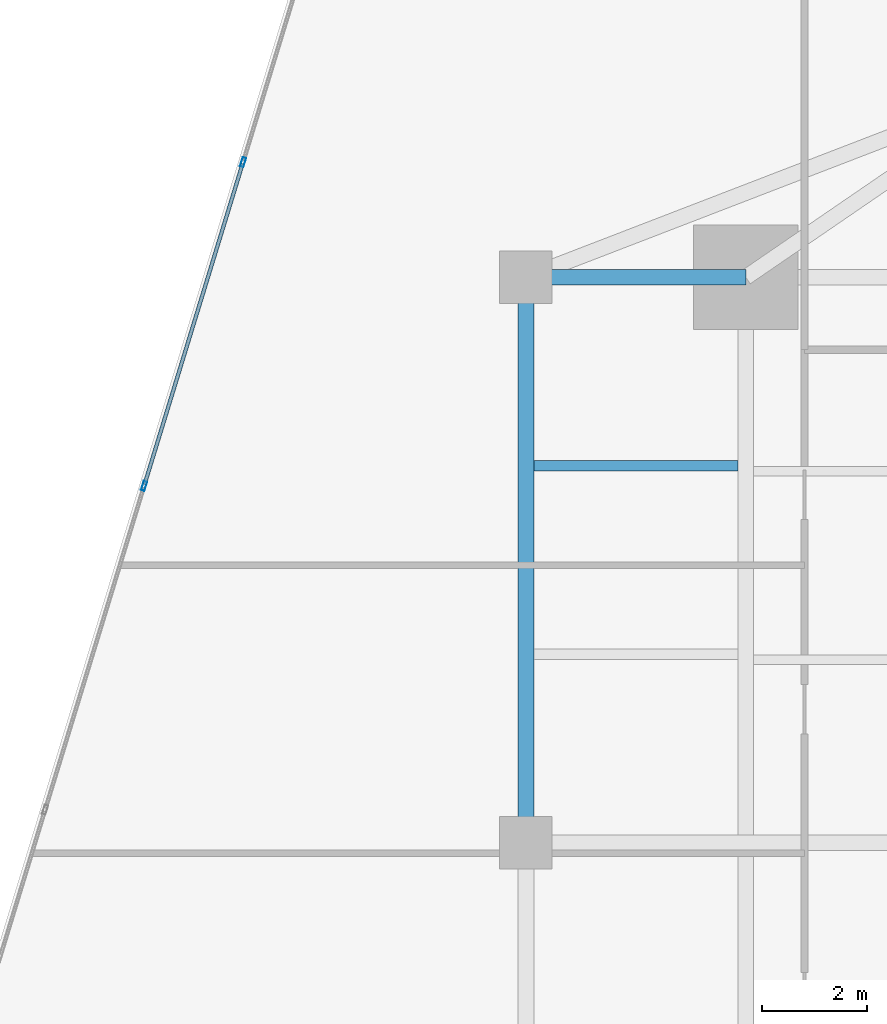
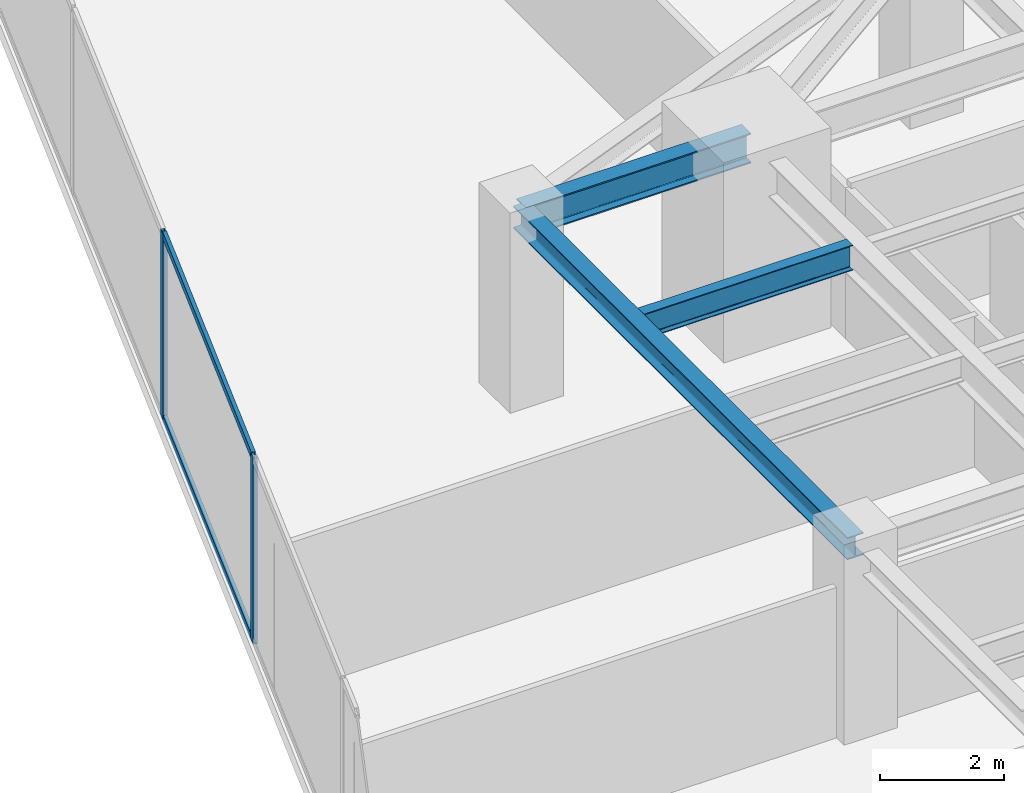
# One storey, part 13 of 26: 4 members, 3 beams, 1 element without a shape of its own.
"""IFC4 building model written with IfcOpenShell, lengths in metres."""

from ifc_helpers import new_model, si_unit, direction, frame, origin, origin_2d, place, context, subcontext, project, spatial, hollow_rectangle, i_section, extrude, source, transform, mapped, material, material_profile, profile_set, type_object, type_shapes, element, aggregate, save


model = new_model("IFC4")

# Units and contexts
model_context = context("Model", 3, precision=1e-05, world=origin(), true_north=direction((0.0, 1.0)))
body_context = subcontext(model_context, "Body", "Model", "MODEL_VIEW")
ifc_project = project(units=[si_unit("LENGTHUNIT", "METRE"), si_unit("AREAUNIT", "SQUARE_METRE"), si_unit("VOLUMEUNIT", "CUBIC_METRE"), si_unit("PLANEANGLEUNIT", "RADIAN"), si_unit("MASSUNIT", "GRAM", prefix="KILO")], contexts=[model_context])

# Site, building, storey
site_placement = place(None, origin())
site = spatial("IfcSite", under=ifc_project, at=site_placement, CompositionType="ELEMENT")
building_placement = place(site_placement, origin())
building = spatial("IfcBuilding", under=site, at=building_placement, Name="Krantzveldt Concourse Tower", CompositionType="ELEMENT")
storey_placement = place(building_placement, frame((0.0, 0.0, 113.75)))
storey = spatial("IfcBuildingStorey", under=building, at=storey_placement, Name="L27", CompositionType="ELEMENT", Elevation=113.75)

# Beams
ifc_material_1 = material(Name="Steel S355JR", Category="steel")
ifc_material_profile_1 = material_profile(ifc_material_1, i_section(OverallWidth=0.300048828125, OverallDepth=0.43994140625, WebThickness=0.011474609375, FlangeThickness=0.02099609375, FilletRadius=0.027099609375, at=origin_2d()), Name="Steel S355JR", Category="steel")
ifc_profile_set_1 = profile_set([ifc_material_profile_1], Name="Steel S355JR - HEA 450")
beam_type_1 = type_object("IfcBeamType", Name="BM-SP-HEA450", PredefinedType="SPANDREL", material=ifc_profile_set_1)
shared_shape_1 = source(origin(), body_context, "Body", "SweptSolid", [
    extrude(i_section(OverallWidth=0.300048828125, OverallDepth=0.43994140625, WebThickness=0.011474609375, FlangeThickness=0.02099609375, FilletRadius=0.027099609375, at=origin_2d()), origin(), (0.0, 0.0, 1.0), 10.800048828125),
])
type_shapes(beam_type_1, [shared_shape_1])
beam_1_placement = place(storey_placement, frame((21.0, 26.699951171875, 3.449951171875), z_axis=(0.0, 1.0, 0.0), x_axis=(-1.0, 0.0, 0.0)))
element("IfcBeam", 1, at=beam_1_placement, inside=storey, type_object=beam_type_1, Name="L27 Tower Girder SP-R02", PredefinedType="SPANDREL", context=body_context, shape_type="MappedRepresentation", body=[
    mapped(shared_shape_1, transform((0.0, 0.0, 0.0), x_axis=(1.0, 0.0, 0.0), y_axis=(0.0, 1.0, 0.0), z_axis=(0.0, 0.0, 1.0), scale=1.0)),
])
ifc_material_profile_2 = material_profile(ifc_material_1, i_section(OverallWidth=0.300048828125, OverallDepth=0.590087890625, WebThickness=0.012939453125, FlangeThickness=0.02490234375, FilletRadius=0.027099609375, at=origin_2d()), Name="Steel S355JR", Category="steel")
ifc_profile_set_2 = profile_set([ifc_material_profile_2], Name="Steel S355JR - HEA 600")
beam_type_2 = type_object("IfcBeamType", Name="BM-B-HEA600", PredefinedType="BEAM", material=ifc_profile_set_2)
shared_shape_2 = source(origin(), body_context, "Body", "SweptSolid", [
    extrude(i_section(OverallWidth=0.300048828125, OverallDepth=0.590087890625, WebThickness=0.012939453125, FlangeThickness=0.02490234375, FilletRadius=0.027099609375, at=origin_2d()), origin(), (0.0, 0.0, 1.0), 4.199951171875),
])
type_shapes(beam_type_2, [shared_shape_2])
beam_2_placement = place(storey_placement, frame((21.0, 37.5, 3.375), z_axis=(1.0, 0.0, 0.0), x_axis=(0.0, 1.0, 0.0)))
element("IfcBeam", 2, at=beam_2_placement, inside=storey, type_object=beam_type_2, Name="L27 Tower Girder BR-RL3", PredefinedType="BEAM", context=body_context, shape_type="MappedRepresentation", body=[
    mapped(shared_shape_2, transform((0.0, 0.0, 0.0), x_axis=(1.0, 0.0, 0.0), y_axis=(0.0, 1.0, 0.0), z_axis=(0.0, 0.0, 1.0), scale=1.0)),
])
ifc_material_profile_3 = material_profile(ifc_material_1, i_section(OverallWidth=0.199951171875, OverallDepth=0.5, WebThickness=0.01025390625, FlangeThickness=0.01611328125, FilletRadius=0.02099609375, at=origin_2d()), Name="Steel S355JR", Category="steel")
ifc_profile_set_3 = profile_set([ifc_material_profile_3], Name="Steel S355JR - IPE 500")
beam_type_3 = type_object("IfcBeamType", Name="BM-J-IPE500", PredefinedType="JOIST", material=ifc_profile_set_3)
shared_shape_3 = source(origin(), body_context, "Body", "SweptSolid", [
    extrude(i_section(OverallWidth=0.199951171875, OverallDepth=0.5, WebThickness=0.01025390625, FlangeThickness=0.01611328125, FilletRadius=0.02099609375, at=origin_2d()), origin(), (0.0, 0.0, 1.0), 3.900146484375),
])
type_shapes(beam_type_3, [shared_shape_3])
beam_3_placement = place(storey_placement, frame((21.14990234375, 33.89990234375, 3.419921875), z_axis=(1.0, 0.0, 0.0), x_axis=(0.0, 1.0, 0.0)))
element("IfcBeam", 3, at=beam_3_placement, inside=storey, type_object=beam_type_3, Name="L27 Secondary Floor Joist JW-4", PredefinedType="JOIST", context=body_context, shape_type="MappedRepresentation", body=[
    mapped(shared_shape_3, transform((0.0, 0.0, 0.0), x_axis=(1.0, 0.0, 0.0), y_axis=(0.0, 1.0, 0.0), z_axis=(0.0, 0.0, 1.0), scale=1.0)),
])

# Curtain wall, members
ifc_material_2 = material(Name="Anodised aluminium 6063-T6", Category="aluminium")
curtain_wall_type = type_object("IfcCurtainWallType", Name="CW2", PredefinedType="USERDEFINED", material=ifc_material_2)
curtain_wall_placement = place(storey_placement, origin())
curtain_wall = element("IfcCurtainWall", 4, at=curtain_wall_placement, inside=storey, type_object=curtain_wall_type, Name="CW-L27-F01", ObjectType="UNITISED CURTAIN WALL", PredefinedType="USERDEFINED")
ifc_material_profile_4 = material_profile(ifc_material_2, hollow_rectangle(XDim=0.070068359375, YDim=0.179931640625, WallThickness=0.0048828125, at=origin_2d()), Name="Anodised aluminium 6063-T6", Category="aluminium")
ifc_profile_set_4 = profile_set([ifc_material_profile_4], Name="Anodised aluminium 6063-T6 - ALU-MULL 180x70x5")
member_type_1 = type_object("IfcMemberType", Name="CW-MUL-180", PredefinedType="MULLION", material=ifc_profile_set_4)
shared_shape_4 = source(origin(), body_context, "Body", "SweptSolid", [
    extrude(hollow_rectangle(XDim=0.070068359375, YDim=0.179931640625, WallThickness=0.0048828125, at=origin_2d()), origin(), (0.0, 0.0, 1.0), 3.669921875),
])
type_shapes(member_type_1, [shared_shape_4])
member_1_placement = place(storey_placement, frame((15.59912109375, 39.69921875, 0.0), z_axis=(0.0, 0.0, 1.0), x_axis=(0.956304761423, -0.292371686864, 0.0)))
member_1 = element("IfcMember", 5, at=member_1_placement, type_object=member_type_1, Name="CW-Z12 mullion 3", PredefinedType="MULLION", context=body_context, shape_type="MappedRepresentation", body=[
    mapped(shared_shape_4, transform((0.0, 0.0, 0.0), x_axis=(1.0, 0.0, 0.0), y_axis=(0.0, 1.0, 0.0), z_axis=(0.0, 0.0, 1.0), scale=1.0)),
])
member_2_placement = place(storey_placement, frame((13.70849609375, 33.51513671875, 0.0), z_axis=(0.0, 0.0, 1.0), x_axis=(0.956304761423, -0.292371686864, 0.0)))
member_2 = element("IfcMember", 6, at=member_2_placement, type_object=member_type_1, Name="CW-Z12 mullion 4", PredefinedType="MULLION", context=body_context, shape_type="MappedRepresentation", body=[
    mapped(shared_shape_4, transform((0.0, 0.0, 0.0), x_axis=(1.0, 0.0, 0.0), y_axis=(0.0, 1.0, 0.0), z_axis=(0.0, 0.0, 1.0), scale=1.0)),
])
ifc_material_profile_5 = material_profile(ifc_material_2, hollow_rectangle(XDim=0.070068359375, YDim=0.139892578125, WallThickness=0.0048828125, at=origin_2d()), Name="Anodised aluminium 6063-T6", Category="aluminium")
ifc_profile_set_5 = profile_set([ifc_material_profile_5], Name="Anodised aluminium 6063-T6 - ALU-TRAN 140x70x5")
member_type_2 = type_object("IfcMemberType", Name="CW-TRN-150", PredefinedType="USERDEFINED", material=ifc_profile_set_5)
shared_shape_5 = source(origin(), body_context, "Body", "SweptSolid", [
    extrude(hollow_rectangle(XDim=0.070068359375, YDim=0.139892578125, WallThickness=0.0048828125, at=origin_2d()), origin(), (0.0, 0.0, 1.0), 6.396728515625),
])
type_shapes(member_type_2, [shared_shape_5])
member_3_placement = place(storey_placement, frame((15.5888671875, 39.665771484375, 0.034912109375), z_axis=(-0.292358163404, -0.956308895855, 0.0), x_axis=(0.956308895855, -0.292358163404, 0.0)))
member_3 = element("IfcMember", 7, at=member_3_placement, type_object=member_type_2, Name="CW-Z12 transom 3.1", ObjectType="TRANSOM", PredefinedType="USERDEFINED", context=body_context, shape_type="MappedRepresentation", body=[
    mapped(shared_shape_5, transform((0.0, 0.0, 0.0), x_axis=(1.0, 0.0, 0.0), y_axis=(0.0, 1.0, 0.0), z_axis=(0.0, 0.0, 1.0), scale=1.0)),
])
member_4_placement = place(storey_placement, frame((15.5888671875, 39.665771484375, 3.635009765625), z_axis=(-0.292358163404, -0.956308895855, 0.0), x_axis=(0.956308895855, -0.292358163404, 0.0)))
member_4 = element("IfcMember", 8, at=member_4_placement, type_object=member_type_2, Name="CW-Z12 transom 3.2", ObjectType="TRANSOM", PredefinedType="USERDEFINED", context=body_context, shape_type="MappedRepresentation", body=[
    mapped(shared_shape_5, transform((0.0, 0.0, 0.0), x_axis=(1.0, 0.0, 0.0), y_axis=(0.0, 1.0, 0.0), z_axis=(0.0, 0.0, 1.0), scale=1.0)),
])
aggregate(curtain_wall, [member_1, member_2, member_3, member_4])

save(model, "model.ifc")
